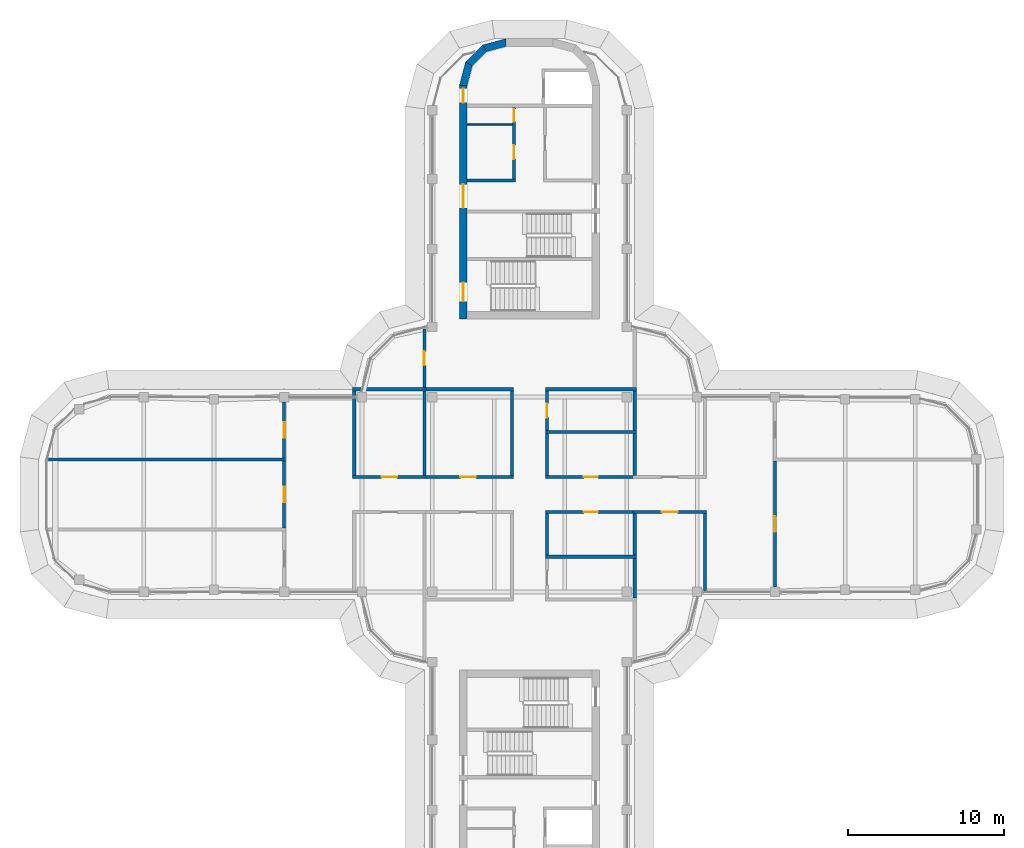
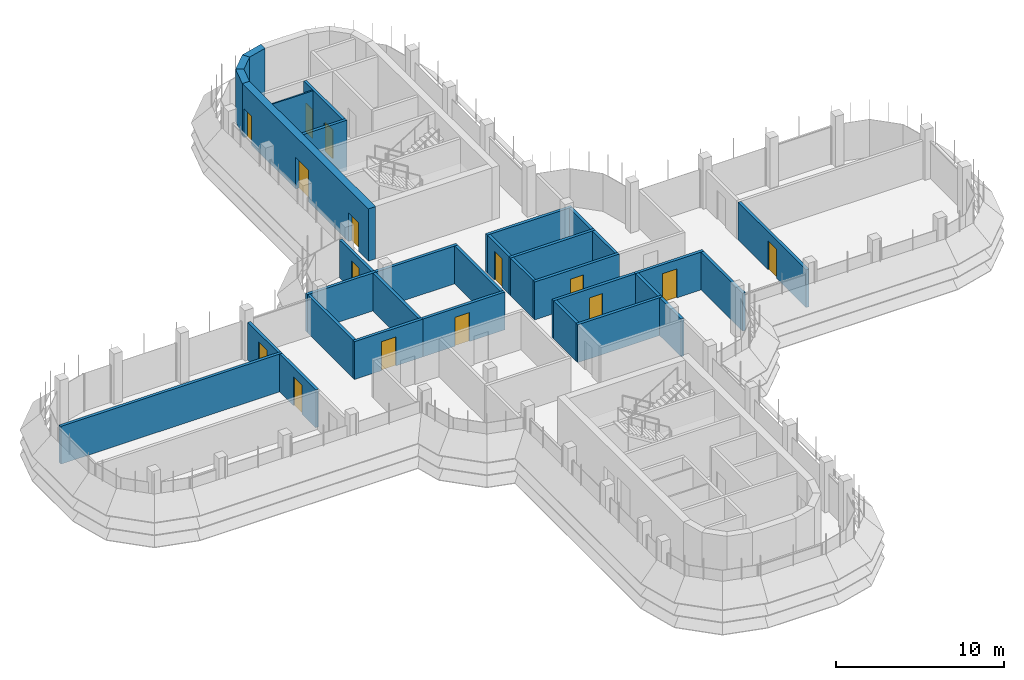
# One storey, part 14 of 19: 33 walls, 15 doors, 15 openings.
"""IFC4 building model written with IfcOpenShell, lengths in metres."""

import ifcopenshell
import ifcopenshell.guid

model = None  # the IFC model being written
_history = None  # IfcOwnerHistory: only IFC2X3 demands one
_inside = {}  # id of a spatial element -> (the spatial element, [elements in it])
_under = {}  # id of a project, library or spatial element -> (it, [spatial elements below it])
_declared = {}  # id of a project -> (the project, [libraries it declares])
_typed = {}  # id of a type object -> (the type object, [elements of that type])
_made_of = {}  # id of a material, layer set ... -> (it, [elements and type objects made of it])


def new_model(schema):
    """Start an empty IFC model of exactly this schema.

    Asked for "IFC4X3", IfcOpenShell would pick the latest addendum, in which some entities
    have other attributes; the version numbers below select the first issue.
    IFC2X3 requires an IfcOwnerHistory on every rooted entity: one is made here for all.
    """
    global model, _history
    if schema == "IFC4X3":
        model = ifcopenshell.file(schema_version=(4, 3, 0, 0))
    else:
        model = ifcopenshell.file(schema=schema)
    _inside.clear()
    _under.clear()
    _declared.clear()
    _typed.clear()
    _made_of.clear()
    _history = None
    if model.schema == "IFC2X3":
        org = make("IfcOrganization", Name="unknown")
        user = make(
            "IfcPersonAndOrganization",
            ThePerson=make("IfcPerson", FamilyName="unknown"),
            TheOrganization=org,
        )
        app = make(
            "IfcApplication",
            ApplicationDeveloper=org,
            Version="unknown",
            ApplicationFullName="unknown",
            ApplicationIdentifier="unknown",
        )
        _history = make(
            "IfcOwnerHistory",
            OwningUser=user,
            OwningApplication=app,
            ChangeAction="ADDED",
            CreationDate=0,
        )
    return model


def make(cls, **values):
    """One entity of the class cls with the attributes given. An attribute that is None is left unset."""
    return model.create_entity(
        cls, **{name: value for name, value in values.items() if value is not None}
    )


def rooted(cls, **values):
    """An entity with a GlobalId (a new one), such as an element, a storey or a relation."""
    return make(cls, GlobalId=ifcopenshell.guid.new(), OwnerHistory=_history, **values)


def si_unit(unit_type, name, prefix=None):
    """IfcSIUnit, for example si_unit("LENGTHUNIT", "METRE", prefix="MILLI")."""
    return make("IfcSIUnit", UnitType=unit_type, Prefix=prefix, Name=name)


def assignment(units):
    """IfcUnitAssignment: the units of a project."""
    return None if units is None else make("IfcUnitAssignment", Units=units)


def point(xyz):
    """IfcCartesianPoint."""
    return None if xyz is None else make("IfcCartesianPoint", Coordinates=xyz)


def direction(xyz):
    """IfcDirection."""
    return None if xyz is None else make("IfcDirection", DirectionRatios=xyz)


def frame(location, z_axis=None, x_axis=None):
    """IfcAxis2Placement3D, a coordinate frame: its origin and axes. An axis left out is left unset."""
    return make(
        "IfcAxis2Placement3D",
        Location=point(location),
        Axis=direction(z_axis),
        RefDirection=direction(x_axis),
    )


def frame_2d(location, x_axis=None):
    """IfcAxis2Placement2D, a coordinate frame in the plane: its origin and x axis."""
    return make(
        "IfcAxis2Placement2D", Location=point(location), RefDirection=direction(x_axis)
    )


def origin():
    """The frame at (0, 0, 0) with its axes left unset."""
    return frame((0.0, 0.0, 0.0))


def place(relative_to, where):
    """IfcLocalPlacement: puts the frame where relative to a parent placement (None: the world)."""
    return make(
        "IfcLocalPlacement", PlacementRelTo=relative_to, RelativePlacement=where
    )


def context(
    kind, dimensions, precision=None, world=None, true_north=None, identifier=None
):
    """IfcGeometricRepresentationContext, for example the 3D "Model" context."""
    return make(
        "IfcGeometricRepresentationContext",
        ContextIdentifier=identifier,
        ContextType=kind,
        CoordinateSpaceDimension=dimensions,
        Precision=precision,
        WorldCoordinateSystem=world,
        TrueNorth=true_north,
    )


def subcontext(parent, identifier, kind, view, scale=None):
    """IfcGeometricRepresentationSubContext, for example "Body" below "Model"."""
    return make(
        "IfcGeometricRepresentationSubContext",
        ContextIdentifier=identifier,
        ContextType=kind,
        ParentContext=parent,
        TargetScale=scale,
        TargetView=view,
    )


def project(units=None, contexts=None):
    """IfcProject with its units and contexts."""
    return rooted(
        "IfcProject",
        Name="project",
        RepresentationContexts=contexts,
        UnitsInContext=assignment(units),
    )


def spatial(cls, under=None, at=None, **own):
    """A site, building, storey or space (cls), placed at a placement, below another one or the project."""
    s = rooted(cls, ObjectPlacement=at, **own)
    if under is not None:
        _under.setdefault(under.id(), (under, []))[1].append(s)
    return s


def polyline(points):
    """IfcPolyline through the points."""
    return make("IfcPolyline", Points=[point(p) for p in points])


def profile(cls, at=None, kind="AREA", **sizes):
    """A parametric profile (cls). Its sizes go by their IFC names, for example OverallWidth=200.0."""
    return make(cls, ProfileType=kind, Position=at, **sizes)


def rectangle(**sizes):
    """IfcRectangleProfileDef."""
    return profile("IfcRectangleProfileDef", **sizes)


def outline(outer, holes=None, kind="AREA"):
    """IfcArbitraryClosedProfileDef: a profile drawn as a closed curve; with holes, ...WithVoids."""
    if holes is None:
        return make("IfcArbitraryClosedProfileDef", ProfileType=kind, OuterCurve=outer)
    return make(
        "IfcArbitraryProfileDefWithVoids",
        ProfileType=kind,
        OuterCurve=outer,
        InnerCurves=holes,
    )


def extrude(swept, where, along, depth):
    """IfcExtrudedAreaSolid: the profile swept, set in the frame where, extruded along a direction by depth."""
    return make(
        "IfcExtrudedAreaSolid",
        SweptArea=swept,
        Position=where,
        ExtrudedDirection=direction(along),
        Depth=depth,
    )


def shape(context_of_items, identifier, shape_type, items):
    """IfcShapeRepresentation: the items that make up one representation, for example the "Body"."""
    return make(
        "IfcShapeRepresentation",
        ContextOfItems=context_of_items,
        RepresentationIdentifier=identifier,
        RepresentationType=shape_type,
        Items=items,
    )


def material(Name=None, Category=None):
    """IfcMaterial."""
    return make("IfcMaterial", Name=Name, Category=Category)


def layer(
    of_material, thickness, ventilated=None, Name=None, Category=None, Priority=None
):
    """IfcMaterialLayer: one layer of a wall or slab, of a material (None: an air gap)."""
    return make(
        "IfcMaterialLayer",
        Material=of_material,
        LayerThickness=thickness,
        IsVentilated=ventilated,
        Name=Name,
        Category=Category,
        Priority=Priority,
    )


def layer_set(layers, Name=None):
    """IfcMaterialLayerSet."""
    return make("IfcMaterialLayerSet", MaterialLayers=layers, LayerSetName=Name)


def made_of(thing, what):
    """Note that an element or type object is made of a material, layer set ...; save() writes the relation."""
    if what is not None:
        _made_of.setdefault(what.id(), (what, []))[1].append(thing)
    return thing


def type_object(cls, material=None, **own):
    """A type object (cls), such as IfcWallType, which elements share."""
    return made_of(rooted(cls, **own), material)


def element(
    cls,
    number,
    at=None,
    inside=None,
    cuts=None,
    type_object=None,
    material=None,
    context=None,
    identifier="Body",
    shape_type=None,
    held_by="IfcProductDefinitionShape",
    body=None,
    shapes=None,
    **own,
):
    """One element of the class cls, such as IfcWall. Its Tag is "e" and its number.

    at: its placement. inside: the storey or other place that contains it. cuts: it is an
    opening in that element (IfcRelVoidsElement). A single representation is given by context,
    identifier, shape_type and body (its items); several are given by shapes. held_by: the class
    of the entity that holds the representations. save() writes the other relations.
    """
    e = rooted(cls, Tag="e%d" % number, ObjectPlacement=at, **own)
    if body is not None:
        shapes = [shape(context, identifier, shape_type, body)]
    if shapes is not None:
        e.Representation = make(held_by, Representations=shapes)
    if inside is not None:
        _inside.setdefault(inside.id(), (inside, []))[1].append(e)
    if cuts is not None:
        rooted(
            "IfcRelVoidsElement", RelatingBuildingElement=cuts, RelatedOpeningElement=e
        )
    if type_object is not None:
        _typed.setdefault(type_object.id(), (type_object, []))[1].append(e)
    return made_of(e, material)


def fill(opening, filler):
    """IfcRelFillsElement: the door or window that sits in an opening."""
    return rooted(
        "IfcRelFillsElement",
        RelatingOpeningElement=opening,
        RelatedBuildingElement=filler,
    )


def aggregate(whole, parts):
    """IfcRelAggregates: a whole, such as a stair, and the parts it consists of."""
    return rooted("IfcRelAggregates", RelatingObject=whole, RelatedObjects=parts)


def save(model, path):
    """Write the relations noted so far, then the file.

    IfcRelAggregates (storeys below a building ...), IfcRelContainedInSpatialStructure (elements
    in a storey), IfcRelDefinesByType, IfcRelAssociatesMaterial and IfcRelDeclares: one each for
    every whole, place, type object, material and project.
    """
    for whole, parts in _under.values():
        aggregate(whole, parts)
    for where, things in _inside.values():
        rooted(
            "IfcRelContainedInSpatialStructure",
            RelatedElements=things,
            RelatingStructure=where,
        )
    for kind, things in _typed.values():
        rooted("IfcRelDefinesByType", RelatedObjects=things, RelatingType=kind)
    for what, things in _made_of.values():
        rooted("IfcRelAssociatesMaterial", RelatedObjects=things, RelatingMaterial=what)
    for by, libraries in _declared.values():
        rooted("IfcRelDeclares", RelatingContext=by, RelatedDefinitions=libraries)
    model.write(path)


model = new_model("IFC4")

# Units and contexts
model_context = context("Model", 3, precision=1e-05, world=origin(), true_north=direction((0.0, 1.0)))
body_context = subcontext(model_context, "Body", "Model", "MODEL_VIEW")
ifc_project = project(units=[si_unit("LENGTHUNIT", "METRE"), si_unit("AREAUNIT", "SQUARE_METRE"), si_unit("VOLUMEUNIT", "CUBIC_METRE"), si_unit("PLANEANGLEUNIT", "RADIAN"), si_unit("MASSUNIT", "GRAM", prefix="KILO")], contexts=[model_context])

# Site, building, storey
site_placement = place(None, origin())
site = spatial("IfcSite", under=ifc_project, at=site_placement, CompositionType="ELEMENT")
building_placement = place(site_placement, origin())
building = spatial("IfcBuilding", under=site, at=building_placement, Name="Zarbagh Exchange Tower", CompositionType="ELEMENT")
storey_placement = place(building_placement, frame((0.0, 0.0, 265.0)))
storey = spatial("IfcBuildingStorey", under=building, at=storey_placement, Name="L65", CompositionType="ELEMENT", Elevation=265.0)

# Wall
ifc_material_1 = material(Name="Dense blockwork", Category="masonry")
ifc_layer_1 = layer(ifc_material_1, 0.10009765625)
ifc_layer_set_1 = layer_set([ifc_layer_1], Name="Core partition 100 mm blockwork")
wall_type_1 = type_object("IfcWallType", Name="Core partition 100 mm blockwork", PredefinedType="PARTITIONING", material=ifc_layer_set_1)
wall_1_placement = place(storey_placement, frame((-4.0, 23.75, 0.0), z_axis=(0.0, 0.0, 1.0), x_axis=(1.0, 0.0, 0.0)))
element("IfcWall", 1, at=wall_1_placement, inside=storey, type_object=wall_type_1, Name="North core partition wall CUT-W-460", PredefinedType="PARTITIONING", context=body_context, shape_type="SweptSolid", body=[
    extrude(rectangle(XDim=2.89990234375, YDim=0.10009765625, at=frame_2d((1.449951171875, 0.0))), origin(), (0.0, 0.0, 1.0), 3.64990234375),
])

# Wall, opening, door
ifc_material_2 = material(Name="Fire-rated plasterboard partition")
ifc_layer_2 = layer(ifc_material_2, 0.199951171875)
ifc_layer_set_2 = layer_set([ifc_layer_2], Name="RATED PARTITION 200")
wall_type_2 = type_object("IfcWallType", Name="RATED PARTITION 200", PredefinedType="PARTITIONING", material=ifc_layer_set_2)
wall_2_placement = place(storey_placement, frame((1.02490234375, 1.125, 0.0), z_axis=(0.0, 0.0, 1.0), x_axis=(1.0, 0.0, 0.0)))
wall_2 = element("IfcWall", 2, at=wall_2_placement, inside=storey, type_object=wall_type_2, Name="Partition W-2801", PredefinedType="PARTITIONING", context=body_context, shape_type="SweptSolid", body=[
    extrude(rectangle(XDim=5.8251953125, YDim=0.199951171875, at=frame_2d((2.91259765625, 0.0))), origin(), (0.0, 0.0, 1.0), 2.75),
])
opening_1_placement = place(wall_2_placement, frame((2.46240234375, 0.0, 0.0)))
opening_1 = element("IfcOpeningElement", 3, at=opening_1_placement, cuts=wall_2, Name="Opening D-2803", PredefinedType="OPENING", context=body_context, shape_type="SweptSolid", body=[
    extrude(rectangle(XDim=0.89990234375, YDim=2.10009765625, at=frame_2d((0.449951171875, 1.050048828125))), frame((0.0, 0.10986328125, 0.0), z_axis=(0.0, -1.0, 0.0), x_axis=(1.0, 0.0, 0.0)), (0.0, 0.0, 1.0), 0.219970703125),
])
ifc_material_3 = material(Name="Timber door leaf", Category="wood")
door_type_1 = type_object("IfcDoorType", Name="DOOR 900 X 2100", OperationType="NOTDEFINED", PredefinedType="DOOR", material=ifc_material_3)
door_1_placement = place(opening_1_placement, origin())
door_1 = element("IfcDoor", 4, at=door_1_placement, inside=storey, type_object=door_type_1, Name="Door D-2803", OperationType="SINGLE_SWING_RIGHT", OverallHeight=2.10009765625, OverallWidth=0.89990234375, PredefinedType="DOOR", context=body_context, shape_type="SweptSolid", body=[
    extrude(rectangle(XDim=0.89990234375, YDim=2.10009765625, at=frame_2d((0.449951171875, 1.050048828125))), frame((0.0, 0.02490234375, 0.0), z_axis=(0.0, -1.0, 0.0), x_axis=(1.0, 0.0, 0.0)), (0.0, 0.0, 1.0), 0.050048828125),
])
fill(opening_1, door_1)

wall_3_placement = place(storey_placement, frame((-6.85009765625, 1.125, 0.0), z_axis=(0.0, 0.0, 1.0), x_axis=(1.0, 0.0, 0.0)))
wall_3 = element("IfcWall", 5, at=wall_3_placement, inside=storey, type_object=wall_type_2, Name="Partition W-2803", PredefinedType="PARTITIONING", context=body_context, shape_type="SweptSolid", body=[
    extrude(rectangle(XDim=5.8251953125, YDim=0.199951171875, at=frame_2d((2.91259765625, 0.0))), origin(), (0.0, 0.0, 1.0), 2.75),
])
opening_2_placement = place(wall_3_placement, frame((2.41259765625, 0.0, 0.0)))
opening_2 = element("IfcOpeningElement", 6, at=opening_2_placement, cuts=wall_3, Name="Opening D-2806", PredefinedType="OPENING", context=body_context, shape_type="SweptSolid", body=[
    extrude(rectangle(XDim=1.0, YDim=2.10009765625, at=frame_2d((0.5, 1.050048828125))), frame((0.0, 0.10986328125, 0.0), z_axis=(0.0, -1.0, 0.0), x_axis=(1.0, 0.0, 0.0)), (0.0, 0.0, 1.0), 0.219970703125),
])
ifc_material_4 = material(Name="Steel door set", Category="steel")
door_type_2 = type_object("IfcDoorType", Name="FIRE DOOR 1000 X 2100 FD30S", OperationType="NOTDEFINED", PredefinedType="DOOR", material=ifc_material_4)
door_2_placement = place(opening_2_placement, origin())
door_2 = element("IfcDoor", 7, at=door_2_placement, inside=storey, type_object=door_type_2, Name="Door D-2806", OperationType="SINGLE_SWING_RIGHT", OverallHeight=2.10009765625, OverallWidth=1.0, PredefinedType="DOOR", context=body_context, shape_type="SweptSolid", body=[
    extrude(rectangle(XDim=1.0, YDim=2.10009765625, at=frame_2d((0.5, 1.050048828125))), frame((0.0, 0.02490234375, 0.0), z_axis=(0.0, -1.0, 0.0), x_axis=(1.0, 0.0, 0.0)), (0.0, 0.0, 1.0), 0.050048828125),
])
fill(opening_2, door_2)

wall_4_placement = place(storey_placement, frame((-11.35009765625, 1.125, 0.0), z_axis=(0.0, 0.0, 1.0), x_axis=(1.0, 0.0, 0.0)))
wall_4 = element("IfcWall", 8, at=wall_4_placement, inside=storey, type_object=wall_type_2, Name="Partition W-2804", PredefinedType="PARTITIONING", context=body_context, shape_type="SweptSolid", body=[
    extrude(rectangle(XDim=4.7001953125, YDim=0.199951171875, at=frame_2d((2.35009765625, 0.0))), origin(), (0.0, 0.0, 1.0), 2.75),
])
opening_3_placement = place(wall_4_placement, frame((1.85009765625, 0.0, 0.0)))
opening_3 = element("IfcOpeningElement", 9, at=opening_3_placement, cuts=wall_4, Name="Opening D-2807", PredefinedType="OPENING", context=body_context, shape_type="SweptSolid", body=[
    extrude(rectangle(XDim=1.0, YDim=2.10009765625, at=frame_2d((0.5, 1.050048828125))), frame((0.0, 0.10986328125, 0.0), z_axis=(0.0, -1.0, 0.0), x_axis=(1.0, 0.0, 0.0)), (0.0, 0.0, 1.0), 0.219970703125),
])
door_3_placement = place(opening_3_placement, origin())
door_3 = element("IfcDoor", 10, at=door_3_placement, inside=storey, type_object=door_type_2, Name="Door D-2807", OperationType="SINGLE_SWING_RIGHT", OverallHeight=2.10009765625, OverallWidth=1.0, PredefinedType="DOOR", context=body_context, shape_type="SweptSolid", body=[
    extrude(rectangle(XDim=1.0, YDim=2.10009765625, at=frame_2d((0.5, 1.050048828125))), frame((0.0, 0.02490234375, 0.0), z_axis=(0.0, -1.0, 0.0), x_axis=(1.0, 0.0, 0.0)), (0.0, 0.0, 1.0), 0.050048828125),
])
fill(opening_3, door_3)

wall_5_placement = place(storey_placement, frame((6.85009765625, -1.125, 0.0), z_axis=(0.0, 0.0, 1.0), x_axis=(-1.0, 0.0, 0.0)))
wall_5 = element("IfcWall", 11, at=wall_5_placement, inside=storey, type_object=wall_type_2, Name="Partition W-2805", PredefinedType="PARTITIONING", context=body_context, shape_type="SweptSolid", body=[
    extrude(rectangle(XDim=5.8251953125, YDim=0.199951171875, at=frame_2d((2.91259765625, 0.0))), origin(), (0.0, 0.0, 1.0), 2.75),
])
opening_4_placement = place(wall_5_placement, frame((2.46240234375, 0.0, 0.0)))
opening_4 = element("IfcOpeningElement", 12, at=opening_4_placement, cuts=wall_5, Name="Opening D-2809", PredefinedType="OPENING", context=body_context, shape_type="SweptSolid", body=[
    extrude(rectangle(XDim=0.89990234375, YDim=2.10009765625, at=frame_2d((0.449951171875, 1.050048828125))), frame((0.0, 0.10986328125, 0.0), z_axis=(0.0, -1.0, 0.0), x_axis=(1.0, 0.0, 0.0)), (0.0, 0.0, 1.0), 0.219970703125),
])
door_4_placement = place(opening_4_placement, origin())
door_4 = element("IfcDoor", 13, at=door_4_placement, inside=storey, type_object=door_type_1, Name="Door D-2809", OperationType="SINGLE_SWING_RIGHT", OverallHeight=2.10009765625, OverallWidth=0.89990234375, PredefinedType="DOOR", context=body_context, shape_type="SweptSolid", body=[
    extrude(rectangle(XDim=0.89990234375, YDim=2.10009765625, at=frame_2d((0.449951171875, 1.050048828125))), frame((0.0, 0.02490234375, 0.0), z_axis=(0.0, -1.0, 0.0), x_axis=(1.0, 0.0, 0.0)), (0.0, 0.0, 1.0), 0.050048828125),
])
fill(opening_4, door_4)

wall_6_placement = place(storey_placement, frame((11.35009765625, -1.125, 0.0), z_axis=(0.0, 0.0, 1.0), x_axis=(-1.0, 0.0, 0.0)))
wall_6 = element("IfcWall", 14, at=wall_6_placement, inside=storey, type_object=wall_type_2, Name="Partition W-2806", PredefinedType="PARTITIONING", context=body_context, shape_type="SweptSolid", body=[
    extrude(rectangle(XDim=4.7001953125, YDim=0.199951171875, at=frame_2d((2.35009765625, 0.0))), origin(), (0.0, 0.0, 1.0), 2.75),
])
opening_5_placement = place(wall_6_placement, frame((1.85009765625, 0.0, 0.0)))
opening_5 = element("IfcOpeningElement", 15, at=opening_5_placement, cuts=wall_6, Name="Opening D-2811", PredefinedType="OPENING", context=body_context, shape_type="SweptSolid", body=[
    extrude(rectangle(XDim=1.0, YDim=2.10009765625, at=frame_2d((0.5, 1.050048828125))), frame((0.0, 0.10986328125, 0.0), z_axis=(0.0, -1.0, 0.0), x_axis=(1.0, 0.0, 0.0)), (0.0, 0.0, 1.0), 0.219970703125),
])
door_5_placement = place(opening_5_placement, origin())
door_5 = element("IfcDoor", 16, at=door_5_placement, inside=storey, type_object=door_type_2, Name="Door D-2811", OperationType="SINGLE_SWING_RIGHT", OverallHeight=2.10009765625, OverallWidth=1.0, PredefinedType="DOOR", context=body_context, shape_type="SweptSolid", body=[
    extrude(rectangle(XDim=1.0, YDim=2.10009765625, at=frame_2d((0.5, 1.050048828125))), frame((0.0, 0.02490234375, 0.0), z_axis=(0.0, -1.0, 0.0), x_axis=(1.0, 0.0, 0.0)), (0.0, 0.0, 1.0), 0.050048828125),
])
fill(opening_5, door_5)

# Wall
wall_7_placement = place(storey_placement, frame((1.125, 1.22509765625, 0.0), z_axis=(0.0, 0.0, 1.0), x_axis=(0.0, 1.0, 0.0)))
element("IfcWall", 17, at=wall_7_placement, inside=storey, type_object=wall_type_2, Name="Partition W-2809", PredefinedType="PARTITIONING", context=body_context, shape_type="SweptSolid", body=[
    extrude(rectangle(XDim=2.6748046875, YDim=0.199951171875, at=frame_2d((1.33740234375, 0.0))), origin(), (0.0, 0.0, 1.0), 2.75),
])

# Wall, opening, door
wall_8_placement = place(storey_placement, frame((1.125, 6.64990234375, 0.0), z_axis=(0.0, 0.0, 1.0), x_axis=(0.0, -1.0, 0.0)))
wall_8 = element("IfcWall", 18, at=wall_8_placement, inside=storey, type_object=wall_type_2, Name="Partition W-2810", PredefinedType="PARTITIONING", context=body_context, shape_type="SweptSolid", body=[
    extrude(rectangle(XDim=2.5498046875, YDim=0.199951171875, at=frame_2d((1.27490234375, 0.0))), origin(), (0.0, 0.0, 1.0), 2.75),
])
opening_6_placement = place(wall_8_placement, frame((0.824951171875, 0.0, 0.0)))
opening_6 = element("IfcOpeningElement", 19, at=opening_6_placement, cuts=wall_8, Name="Opening D-2804", PredefinedType="OPENING", context=body_context, shape_type="SweptSolid", body=[
    extrude(rectangle(XDim=0.89990234375, YDim=2.10009765625, at=frame_2d((0.449951171875, 1.050048828125))), frame((0.0, 0.10986328125, 0.0), z_axis=(0.0, -1.0, 0.0), x_axis=(1.0, 0.0, 0.0)), (0.0, 0.0, 1.0), 0.219970703125),
])
door_6_placement = place(opening_6_placement, origin())
door_6 = element("IfcDoor", 20, at=door_6_placement, inside=storey, type_object=door_type_1, Name="Door D-2804", OperationType="SINGLE_SWING_RIGHT", OverallHeight=2.10009765625, OverallWidth=0.89990234375, PredefinedType="DOOR", context=body_context, shape_type="SweptSolid", body=[
    extrude(rectangle(XDim=0.89990234375, YDim=2.10009765625, at=frame_2d((0.449951171875, 1.050048828125))), frame((0.0, 0.02490234375, 0.0), z_axis=(0.0, -1.0, 0.0), x_axis=(1.0, 0.0, 0.0)), (0.0, 0.0, 1.0), 0.050048828125),
])
fill(opening_6, door_6)

# Walls
wall_9_placement = place(storey_placement, frame((-1.125, 1.22509765625, 0.0), z_axis=(0.0, 0.0, 1.0), x_axis=(0.0, 1.0, 0.0)))
element("IfcWall", 21, at=wall_9_placement, inside=storey, type_object=wall_type_2, Name="Partition W-2811", PredefinedType="PARTITIONING", context=body_context, shape_type="SweptSolid", body=[
    extrude(rectangle(XDim=5.4248046875, YDim=0.199951171875, at=frame_2d((2.71240234375, 0.0))), origin(), (0.0, 0.0, 1.0), 2.75),
])
wall_10_placement = place(storey_placement, frame((1.125, -3.89990234375, 0.0), z_axis=(0.0, 0.0, 1.0), x_axis=(0.0, 1.0, 0.0)))
element("IfcWall", 22, at=wall_10_placement, inside=storey, type_object=wall_type_2, Name="Partition W-2812", PredefinedType="PARTITIONING", context=body_context, shape_type="SweptSolid", body=[
    extrude(rectangle(XDim=2.6748046875, YDim=0.199951171875, at=frame_2d((1.33740234375, 0.0))), origin(), (0.0, 0.0, 1.0), 2.75),
])
for number, where, z_axis, x_axis, name in (
    (23, (1.02490234375, 6.75, 0.0), (0.0, 0.0, 1.0), (1.0, 0.0, 0.0), "Partition W-2815"),
    (24, (-6.85009765625, 6.75, 0.0), (0.0, 0.0, 1.0), (1.0, 0.0, 0.0), "Partition W-2817"),
):
    element("IfcWall", number, at=place(storey_placement, frame(where, z_axis=z_axis, x_axis=x_axis)), inside=storey, type_object=wall_type_2, Name=name, PredefinedType="PARTITIONING", context=body_context, shape_type="SweptSolid", body=[
        extrude(rectangle(XDim=5.8251953125, YDim=0.199951171875, at=frame_2d((2.91259765625, 0.0))), origin(), (0.0, 0.0, 1.0), 2.75),
    ])

# Wall, opening, door
wall_11_placement = place(storey_placement, frame((-6.75, 6.85009765625, 0.0), z_axis=(0.0, 0.0, 1.0), x_axis=(0.0, 1.0, 0.0)))
wall_11 = element("IfcWall", 25, at=wall_11_placement, inside=storey, type_object=wall_type_2, Name="Partition W-2818", PredefinedType="PARTITIONING", context=body_context, shape_type="SweptSolid", body=[
    extrude(rectangle(XDim=3.77978515625, YDim=0.199951171875, at=frame_2d((1.889892578125, 0.0))), origin(), (0.0, 0.0, 1.0), 2.75),
])
opening_7_placement = place(wall_11_placement, frame((1.43994140625, 0.0, 0.0)))
opening_7 = element("IfcOpeningElement", 26, at=opening_7_placement, cuts=wall_11, Name="Opening D-2808", PredefinedType="OPENING", context=body_context, shape_type="SweptSolid", body=[
    extrude(rectangle(XDim=0.89990234375, YDim=2.10009765625, at=frame_2d((0.449951171875, 1.050048828125))), frame((0.0, 0.10986328125, 0.0), z_axis=(0.0, -1.0, 0.0), x_axis=(1.0, 0.0, 0.0)), (0.0, 0.0, 1.0), 0.219970703125),
])
door_7_placement = place(opening_7_placement, origin())
door_7 = element("IfcDoor", 27, at=door_7_placement, inside=storey, type_object=door_type_1, Name="Door D-2808", OperationType="SINGLE_SWING_LEFT", OverallHeight=2.10009765625, OverallWidth=0.89990234375, PredefinedType="DOOR", context=body_context, shape_type="SweptSolid", body=[
    extrude(rectangle(XDim=0.89990234375, YDim=2.10009765625, at=frame_2d((0.449951171875, 1.050048828125))), frame((0.0, 0.02490234375, 0.0), z_axis=(0.0, -1.0, 0.0), x_axis=(1.0, 0.0, 0.0)), (0.0, 0.0, 1.0), 0.050048828125),
])
fill(opening_7, door_7)

# Walls
wall_12_placement = place(storey_placement, frame((1.02490234375, 4.0, 0.0), z_axis=(0.0, 0.0, 1.0), x_axis=(1.0, 0.0, 0.0)))
element("IfcWall", 28, at=wall_12_placement, inside=storey, type_object=wall_type_2, Name="Partition W-2823", PredefinedType="PARTITIONING", context=body_context, shape_type="SweptSolid", body=[
    extrude(rectangle(XDim=5.8251953125, YDim=0.199951171875, at=frame_2d((2.91259765625, 0.0))), origin(), (0.0, 0.0, 1.0), 2.75),
])
wall_13_placement = place(storey_placement, frame((6.75, 1.22509765625, 0.0), z_axis=(0.0, 0.0, 1.0), x_axis=(0.0, 1.0, 0.0)))
element("IfcWall", 29, at=wall_13_placement, inside=storey, type_object=wall_type_2, Name="Partition W-2824", PredefinedType="PARTITIONING", context=body_context, shape_type="SweptSolid", body=[
    extrude(rectangle(XDim=2.6748046875, YDim=0.199951171875, at=frame_2d((1.33740234375, 0.0))), origin(), (0.0, 0.0, 1.0), 2.75),
])
wall_14_placement = place(storey_placement, frame((6.75, 4.10009765625, 0.0), z_axis=(0.0, 0.0, 1.0), x_axis=(0.0, 1.0, 0.0)))
element("IfcWall", 30, at=wall_14_placement, inside=storey, type_object=wall_type_2, Name="Partition W-2825", PredefinedType="PARTITIONING", context=body_context, shape_type="SweptSolid", body=[
    extrude(rectangle(XDim=2.5498046875, YDim=0.199951171875, at=frame_2d((1.27490234375, 0.0))), origin(), (0.0, 0.0, 1.0), 2.75),
])
wall_15_placement = place(storey_placement, frame((-6.75, 1.22509765625, 0.0), z_axis=(0.0, 0.0, 1.0), x_axis=(0.0, 1.0, 0.0)))
element("IfcWall", 31, at=wall_15_placement, inside=storey, type_object=wall_type_2, Name="Partition W-2827", PredefinedType="PARTITIONING", context=body_context, shape_type="SweptSolid", body=[
    extrude(rectangle(XDim=5.4248046875, YDim=0.199951171875, at=frame_2d((2.71240234375, 0.0))), origin(), (0.0, 0.0, 1.0), 2.75),
])
wall_16_placement = place(storey_placement, frame((-11.35009765625, 6.75, 0.0), z_axis=(0.0, 0.0, 1.0), x_axis=(1.0, 0.0, 0.0)))
element("IfcWall", 32, at=wall_16_placement, inside=storey, type_object=wall_type_2, Name="Partition W-2828", PredefinedType="PARTITIONING", context=body_context, shape_type="SweptSolid", body=[
    extrude(rectangle(XDim=4.7001953125, YDim=0.199951171875, at=frame_2d((2.35009765625, 0.0))), origin(), (0.0, 0.0, 1.0), 2.75),
])
wall_17_placement = place(storey_placement, frame((-11.25, 1.22509765625, 0.0), z_axis=(0.0, 0.0, 1.0), x_axis=(0.0, 1.0, 0.0)))
element("IfcWall", 33, at=wall_17_placement, inside=storey, type_object=wall_type_2, Name="Partition W-2829", PredefinedType="PARTITIONING", context=body_context, shape_type="SweptSolid", body=[
    extrude(rectangle(XDim=5.4248046875, YDim=0.199951171875, at=frame_2d((2.71240234375, 0.0))), origin(), (0.0, 0.0, 1.0), 2.75),
])
wall_18_placement = place(storey_placement, frame((1.02490234375, -4.0, 0.0), z_axis=(0.0, 0.0, 1.0), x_axis=(1.0, 0.0, 0.0)))
element("IfcWall", 34, at=wall_18_placement, inside=storey, type_object=wall_type_2, Name="Partition W-2830", PredefinedType="PARTITIONING", context=body_context, shape_type="SweptSolid", body=[
    extrude(rectangle(XDim=5.8251953125, YDim=0.199951171875, at=frame_2d((2.91259765625, 0.0))), origin(), (0.0, 0.0, 1.0), 2.75),
])
wall_19_placement = place(storey_placement, frame((6.75, -3.89990234375, 0.0), z_axis=(0.0, 0.0, 1.0), x_axis=(0.0, 1.0, 0.0)))
element("IfcWall", 35, at=wall_19_placement, inside=storey, type_object=wall_type_2, Name="Partition W-2831", PredefinedType="PARTITIONING", context=body_context, shape_type="SweptSolid", body=[
    extrude(rectangle(XDim=2.6748046875, YDim=0.199951171875, at=frame_2d((1.33740234375, 0.0))), origin(), (0.0, 0.0, 1.0), 2.75),
])
wall_20_placement = place(storey_placement, frame((6.75, -6.64990234375, 0.0), z_axis=(0.0, 0.0, 1.0), x_axis=(0.0, 1.0, 0.0)))
element("IfcWall", 36, at=wall_20_placement, inside=storey, type_object=wall_type_2, Name="Partition W-2832", PredefinedType="PARTITIONING", context=body_context, shape_type="SweptSolid", body=[
    extrude(rectangle(XDim=2.5498046875, YDim=0.199951171875, at=frame_2d((1.27490234375, 0.0))), origin(), (0.0, 0.0, 1.0), 2.75),
])
wall_21_placement = place(storey_placement, frame((11.25, -6.169921875, 0.0), z_axis=(0.0, 0.0, 1.0), x_axis=(0.0, 1.0, 0.0)))
element("IfcWall", 37, at=wall_21_placement, inside=storey, type_object=wall_type_2, Name="Partition W-2833", PredefinedType="PARTITIONING", context=body_context, shape_type="SweptSolid", body=[
    extrude(rectangle(XDim=4.94482421875, YDim=0.199951171875, at=frame_2d((2.472412109375, 0.0))), origin(), (0.0, 0.0, 1.0), 2.75),
])

# Wall, opening, door
wall_22_placement = place(storey_placement, frame((15.75, 2.14990234375, 0.0), z_axis=(0.0, 0.0, 1.0), x_axis=(0.0, -1.0, 0.0)))
wall_22 = element("IfcWall", 38, at=wall_22_placement, inside=storey, type_object=wall_type_2, Name="Partition W-2836", PredefinedType="PARTITIONING", context=body_context, shape_type="SweptSolid", body=[
    extrude(rectangle(XDim=8.099853515625, YDim=0.199951171875, at=frame_2d((4.0498046875, 0.0))), origin(), (0.0, 0.0, 1.0), 2.75),
])
opening_8_placement = place(wall_22_placement, frame((3.550048828125, 0.0, 0.0)))
opening_8 = element("IfcOpeningElement", 39, at=opening_8_placement, cuts=wall_22, Name="Opening D-2801", PredefinedType="OPENING", context=body_context, shape_type="SweptSolid", body=[
    extrude(rectangle(XDim=1.0, YDim=2.10009765625, at=frame_2d((0.5, 1.050048828125))), frame((0.0, 0.10986328125, 0.0), z_axis=(0.0, -1.0, 0.0), x_axis=(1.0, 0.0, 0.0)), (0.0, 0.0, 1.0), 0.219970703125),
])
door_8_placement = place(opening_8_placement, origin())
door_8 = element("IfcDoor", 40, at=door_8_placement, inside=storey, type_object=door_type_2, Name="Door D-2801", OperationType="SINGLE_SWING_RIGHT", OverallHeight=2.10009765625, OverallWidth=1.0, PredefinedType="DOOR", context=body_context, shape_type="SweptSolid", body=[
    extrude(rectangle(XDim=1.0, YDim=2.10009765625, at=frame_2d((0.5, 1.050048828125))), frame((0.0, 0.02490234375, 0.0), z_axis=(0.0, -1.0, 0.0), x_axis=(1.0, 0.0, 0.0)), (0.0, 0.0, 1.0), 0.050048828125),
])
fill(opening_8, door_8)

wall_23_placement = place(storey_placement, frame((-15.75, -2.14990234375, 0.0), z_axis=(0.0, 0.0, 1.0), x_axis=(0.0, 1.0, 0.0)))
wall_23 = element("IfcWall", 41, at=wall_23_placement, inside=storey, type_object=wall_type_2, Name="Partition W-2840", PredefinedType="PARTITIONING", context=body_context, shape_type="SweptSolid", body=[
    extrude(rectangle(XDim=4.2998046875, YDim=0.199951171875, at=frame_2d((2.14990234375, 0.0))), origin(), (0.0, 0.0, 1.0), 2.75),
])
opening_9_placement = place(wall_23_placement, frame((1.64990234375, 0.0, 0.0)))
opening_9 = element("IfcOpeningElement", 42, at=opening_9_placement, cuts=wall_23, Name="Opening D-2815", PredefinedType="OPENING", context=body_context, shape_type="SweptSolid", body=[
    extrude(rectangle(XDim=1.0, YDim=2.10009765625, at=frame_2d((0.5, 1.050048828125))), frame((0.0, 0.10986328125, 0.0), z_axis=(0.0, -1.0, 0.0), x_axis=(1.0, 0.0, 0.0)), (0.0, 0.0, 1.0), 0.219970703125),
])
door_9_placement = place(opening_9_placement, origin())
door_9 = element("IfcDoor", 43, at=door_9_placement, inside=storey, type_object=door_type_2, Name="Door D-2815", OperationType="SINGLE_SWING_RIGHT", OverallHeight=2.10009765625, OverallWidth=1.0, PredefinedType="DOOR", context=body_context, shape_type="SweptSolid", body=[
    extrude(rectangle(XDim=1.0, YDim=2.10009765625, at=frame_2d((0.5, 1.050048828125))), frame((0.0, 0.02490234375, 0.0), z_axis=(0.0, -1.0, 0.0), x_axis=(1.0, 0.0, 0.0)), (0.0, 0.0, 1.0), 0.050048828125),
])
fill(opening_9, door_9)

wall_24_placement = place(storey_placement, frame((-15.75, 2.35009765625, 0.0), z_axis=(0.0, 0.0, 1.0), x_axis=(0.0, 1.0, 0.0)))
wall_24 = element("IfcWall", 44, at=wall_24_placement, inside=storey, type_object=wall_type_2, Name="Partition W-2841", PredefinedType="PARTITIONING", context=body_context, shape_type="SweptSolid", body=[
    extrude(rectangle(XDim=3.599853515625, YDim=0.199951171875, at=frame_2d((1.7998046875, 0.0))), origin(), (0.0, 0.0, 1.0), 2.75),
])
opening_10_placement = place(wall_24_placement, frame((1.300048828125, 0.0, 0.0)))
opening_10 = element("IfcOpeningElement", 45, at=opening_10_placement, cuts=wall_24, Name="Opening D-2816", PredefinedType="OPENING", context=body_context, shape_type="SweptSolid", body=[
    extrude(rectangle(XDim=1.0, YDim=2.10009765625, at=frame_2d((0.5, 1.050048828125))), frame((0.0, 0.10986328125, 0.0), z_axis=(0.0, -1.0, 0.0), x_axis=(1.0, 0.0, 0.0)), (0.0, 0.0, 1.0), 0.219970703125),
])
door_10_placement = place(opening_10_placement, origin())
door_10 = element("IfcDoor", 46, at=door_10_placement, inside=storey, type_object=door_type_2, Name="Door D-2816", OperationType="SINGLE_SWING_RIGHT", OverallHeight=2.10009765625, OverallWidth=1.0, PredefinedType="DOOR", context=body_context, shape_type="SweptSolid", body=[
    extrude(rectangle(XDim=1.0, YDim=2.10009765625, at=frame_2d((0.5, 1.050048828125))), frame((0.0, 0.02490234375, 0.0), z_axis=(0.0, -1.0, 0.0), x_axis=(1.0, 0.0, 0.0)), (0.0, 0.0, 1.0), 0.050048828125),
])
fill(opening_10, door_10)

# Walls
wall_25_placement = place(storey_placement, frame((-30.8798828125, 2.25, 0.0), z_axis=(0.0, 0.0, 1.0), x_axis=(1.0, 0.0, 0.0)))
element("IfcWall", 47, at=wall_25_placement, inside=storey, type_object=wall_type_2, Name="Partition W-2843", PredefinedType="PARTITIONING", context=body_context, shape_type="SweptSolid", body=[
    extrude(rectangle(XDim=15.22998046875, YDim=0.199951171875, at=frame_2d((7.614990234375, 0.0))), origin(), (0.0, 0.0, 1.0), 2.75),
])
ifc_material_5 = material(Name="Concrete C40/50", Category="concrete")
ifc_layer_3 = layer(ifc_material_5, 0.5)
ifc_layer_set_3 = layer_set([ifc_layer_3], Name="RC core corner wall 500 C40/50")
wall_type_3 = type_object("IfcWallType", Name="RC core corner wall 500 C40/50", PredefinedType="SHEAR", material=ifc_layer_set_3)
wall_26_placement = place(storey_placement, origin())
element("IfcWall", 48, at=wall_26_placement, inside=storey, type_object=wall_type_3, Name="CW10 core N corner W", PredefinedType="SHEAR", context=body_context, shape_type="SweptSolid", body=[
    extrude(outline(polyline([(-4.5, 26.25), (-4.09814453125, 27.75), (-3.6650390625, 27.5), (-4.0, 26.25), (-4.5, 26.25)])), origin(), (0.0, 0.0, 1.0), 3.800048828125),
])
wall_27_placement = place(storey_placement, origin())
element("IfcWall", 49, at=wall_27_placement, inside=storey, type_object=wall_type_3, Name="CW10 core N corner W", PredefinedType="SHEAR", context=body_context, shape_type="SweptSolid", body=[
    extrude(outline(polyline([(-4.09814453125, 27.75), (-3.0, 28.84814453125), (-2.75, 28.4150390625), (-3.6650390625, 27.5), (-4.09814453125, 27.75)])), origin(), (0.0, 0.0, 1.0), 3.800048828125),
])
wall_28_placement = place(storey_placement, origin())
element("IfcWall", 50, at=wall_28_placement, inside=storey, type_object=wall_type_3, Name="CW10 core N corner W", PredefinedType="SHEAR", context=body_context, shape_type="SweptSolid", body=[
    extrude(outline(polyline([(-3.0, 28.84814453125), (-1.5, 29.25), (-1.5, 28.75), (-2.75, 28.4150390625), (-3.0, 28.84814453125)])), origin(), (0.0, 0.0, 1.0), 3.800048828125),
])

# Wall, openings, doors
ifc_layer_4 = layer(ifc_material_5, 0.5)
ifc_layer_set_4 = layer_set([ifc_layer_4], Name="RC core wall 500 C40/50")
wall_type_4 = type_object("IfcWallType", Name="RC core wall 500 C40/50", PredefinedType="SHEAR", material=ifc_layer_set_4)
wall_29_placement = place(storey_placement, frame((-4.25, 11.25, 0.0), z_axis=(0.0, 0.0, 1.0), x_axis=(0.0, 1.0, 0.0)))
wall_29 = element("IfcWall", 51, at=wall_29_placement, inside=storey, type_object=wall_type_4, Name="CW9 core N W", PredefinedType="SHEAR", context=body_context, shape_type="SweptSolid", body=[
    extrude(rectangle(XDim=15.0, YDim=0.5, at=frame_2d((7.5, 0.0))), origin(), (0.0, 0.0, 1.0), 3.800048828125),
])
opening_11_placement = place(wall_29_placement, frame((7.14990234375, 0.0, 0.0)))
opening_11 = element("IfcOpeningElement", 52, at=opening_11_placement, cuts=wall_29, Name="Opening CD1-1500", PredefinedType="OPENING", context=body_context, shape_type="SweptSolid", body=[
    extrude(rectangle(XDim=1.5, YDim=2.300048828125, at=frame_2d((0.75, 1.14990234375))), frame((0.0, 0.260009765625, 0.0), z_axis=(0.0, -1.0, 0.0), x_axis=(1.0, 0.0, 0.0)), (0.0, 0.0, 1.0), 0.52001953125),
])
opening_12_placement = place(wall_29_placement, frame((13.89990234375, 0.0, 0.0)))
opening_12 = element("IfcOpeningElement", 53, at=opening_12_placement, cuts=wall_29, Name="Opening CD2-900", PredefinedType="OPENING", context=body_context, shape_type="SweptSolid", body=[
    extrude(rectangle(XDim=0.89990234375, YDim=2.10009765625, at=frame_2d((0.449951171875, 1.050048828125))), frame((0.0, 0.260009765625, 0.0), z_axis=(0.0, -1.0, 0.0), x_axis=(1.0, 0.0, 0.0)), (0.0, 0.0, 1.0), 0.52001953125),
])
opening_13_placement = place(wall_29_placement, frame((1.14990234375, 0.0, 0.0)))
opening_13 = element("IfcOpeningElement", 54, at=opening_13_placement, cuts=wall_29, Name="Opening SD1-1200", PredefinedType="OPENING", context=body_context, shape_type="SweptSolid", body=[
    extrude(rectangle(XDim=1.199951171875, YDim=2.10009765625, at=frame_2d((0.60009765625, 1.050048828125))), frame((0.0, 0.260009765625, 0.0), z_axis=(0.0, -1.0, 0.0), x_axis=(1.0, 0.0, 0.0)), (0.0, 0.0, 1.0), 0.52001953125),
])
ifc_material_6 = material(Name="Steel", Category="steel")
door_type_3 = type_object("IfcDoorType", Name="Exit stair door 1200 x 2100", OperationType="NOTDEFINED", PredefinedType="DOOR", material=ifc_material_6)
door_11_placement = place(opening_13_placement, origin())
door_11 = element("IfcDoor", 55, at=door_11_placement, inside=storey, type_object=door_type_3, Name="North core stair door ST2", OperationType="SINGLE_SWING_LEFT", OverallHeight=2.10009765625, OverallWidth=1.199951171875, PredefinedType="DOOR", context=body_context, shape_type="SweptSolid", body=[
    extrude(rectangle(XDim=1.199951171875, YDim=2.10009765625, at=frame_2d((0.60009765625, 1.050048828125))), frame((0.0, 0.02490234375, 0.0), z_axis=(0.0, -1.0, 0.0), x_axis=(1.0, 0.0, 0.0)), (0.0, 0.0, 1.0), 0.050048828125),
])
fill(opening_13, door_11)
door_type_4 = type_object("IfcDoorType", Name="Firefighting lobby door 900 x 2100", OperationType="NOTDEFINED", PredefinedType="DOOR", material=ifc_material_6)
door_12_placement = place(opening_12_placement, origin())
door_12 = element("IfcDoor", 56, at=door_12_placement, inside=storey, type_object=door_type_4, Name="North core firefighting lobby door FF-W", OperationType="SINGLE_SWING_RIGHT", OverallHeight=2.10009765625, OverallWidth=0.89990234375, PredefinedType="DOOR", context=body_context, shape_type="SweptSolid", body=[
    extrude(rectangle(XDim=0.89990234375, YDim=2.10009765625, at=frame_2d((0.449951171875, 1.050048828125))), frame((0.0, 0.02490234375, 0.0), z_axis=(0.0, -1.0, 0.0), x_axis=(1.0, 0.0, 0.0)), (0.0, 0.0, 1.0), 0.050048828125),
])
fill(opening_12, door_12)
door_type_5 = type_object("IfcDoorType", Name="Lift lobby double door 1500 x 2300", OperationType="NOTDEFINED", PredefinedType="DOOR", material=ifc_material_6)
door_13_placement = place(opening_11_placement, origin())
door_13 = element("IfcDoor", 57, at=door_13_placement, inside=storey, type_object=door_type_5, Name="North core lift lobby door LOBBY-W", OperationType="DOUBLE_DOOR_SINGLE_SWING", OverallHeight=2.300048828125, OverallWidth=1.5, PredefinedType="DOOR", context=body_context, shape_type="SweptSolid", body=[
    extrude(rectangle(XDim=1.5, YDim=2.300048828125, at=frame_2d((0.75, 1.14990234375))), frame((0.0, 0.02490234375, 0.0), z_axis=(0.0, -1.0, 0.0), x_axis=(1.0, 0.0, 0.0)), (0.0, 0.0, 1.0), 0.050048828125),
])
fill(opening_11, door_13)

# Wall
ifc_layer_5 = layer(ifc_material_1, 0.199951171875)
ifc_layer_set_5 = layer_set([ifc_layer_5], Name="Shaft wall 200 mm blockwork")
wall_type_5 = type_object("IfcWallType", Name="Shaft wall 200 mm blockwork", PredefinedType="PARTITIONING", material=ifc_layer_set_5)
wall_30_placement = place(storey_placement, frame((-4.0, 20.14990234375, 0.0), z_axis=(0.0, 0.0, 1.0), x_axis=(1.0, 0.0, 0.0)))
element("IfcWall", 58, at=wall_30_placement, inside=storey, type_object=wall_type_5, Name="North core shaft wall AB-W", PredefinedType="PARTITIONING", context=body_context, shape_type="SweptSolid", body=[
    extrude(rectangle(XDim=3.10009765625, YDim=0.199951171875, at=frame_2d((1.550048828125, 0.0))), origin(), (0.0, 0.0, 1.0), 3.64990234375),
])

# Wall, openings, doors
wall_31_placement = place(storey_placement, frame((-1.0, 24.85009765625, 0.0), z_axis=(0.0, 0.0, 1.0), x_axis=(0.0, -1.0, 0.0)))
wall_31 = element("IfcWall", 59, at=wall_31_placement, inside=storey, type_object=wall_type_5, Name="North core shaft wall LW-W", PredefinedType="PARTITIONING", context=body_context, shape_type="SweptSolid", body=[
    extrude(rectangle(XDim=4.60009765625, YDim=0.199951171875, at=frame_2d((2.300048828125, 0.0))), origin(), (0.0, 0.0, 1.0), 3.64990234375),
])
opening_14_placement = place(wall_31_placement, frame((0.125, 0.0, 0.0)))
opening_14 = element("IfcOpeningElement", 60, at=opening_14_placement, cuts=wall_31, Name="Opening CD3-800", PredefinedType="OPENING", context=body_context, shape_type="SweptSolid", body=[
    extrude(rectangle(XDim=0.800048828125, YDim=2.10009765625, at=frame_2d((0.39990234375, 1.050048828125))), frame((0.0, 0.10986328125, 0.0), z_axis=(0.0, -1.0, 0.0), x_axis=(1.0, 0.0, 0.0)), (0.0, 0.0, 1.0), 0.219970703125),
])
opening_15_placement = place(wall_31_placement, frame((2.425048828125, 0.0, 0.0)))
opening_15 = element("IfcOpeningElement", 61, at=opening_15_placement, cuts=wall_31, Name="Opening CD3-900", PredefinedType="OPENING", context=body_context, shape_type="SweptSolid", body=[
    extrude(rectangle(XDim=0.89990234375, YDim=2.10009765625, at=frame_2d((0.449951171875, 1.050048828125))), frame((0.0, 0.10986328125, 0.0), z_axis=(0.0, -1.0, 0.0), x_axis=(1.0, 0.0, 0.0)), (0.0, 0.0, 1.0), 0.219970703125),
])
door_type_6 = type_object("IfcDoorType", Name="Core room door 800 x 2100", OperationType="NOTDEFINED", PredefinedType="DOOR", material=ifc_material_6)
door_14_placement = place(opening_14_placement, origin())
door_14 = element("IfcDoor", 62, at=door_14_placement, inside=storey, type_object=door_type_6, Name="North core Store door RD-W-0", OperationType="SINGLE_SWING_RIGHT", OverallHeight=2.10009765625, OverallWidth=0.800048828125, PredefinedType="DOOR", context=body_context, shape_type="SweptSolid", body=[
    extrude(rectangle(XDim=0.800048828125, YDim=2.10009765625, at=frame_2d((0.39990234375, 1.050048828125))), frame((0.0, 0.02490234375, 0.0), z_axis=(0.0, -1.0, 0.0), x_axis=(1.0, 0.0, 0.0)), (0.0, 0.0, 1.0), 0.050048828125),
])
fill(opening_14, door_14)
door_type_7 = type_object("IfcDoorType", Name="Core room door 900 x 2100", OperationType="NOTDEFINED", PredefinedType="DOOR", material=ifc_material_6)
door_15_placement = place(opening_15_placement, origin())
door_15 = element("IfcDoor", 63, at=door_15_placement, inside=storey, type_object=door_type_7, Name="North core Accessible WC door RD-W-1", OperationType="SINGLE_SWING_LEFT", OverallHeight=2.10009765625, OverallWidth=0.89990234375, PredefinedType="DOOR", context=body_context, shape_type="SweptSolid", body=[
    extrude(rectangle(XDim=0.89990234375, YDim=2.10009765625, at=frame_2d((0.449951171875, 1.050048828125))), frame((0.0, 0.02490234375, 0.0), z_axis=(0.0, -1.0, 0.0), x_axis=(1.0, 0.0, 0.0)), (0.0, 0.0, 1.0), 0.050048828125),
])
fill(opening_15, door_15)

save(model, "model.ifc")
